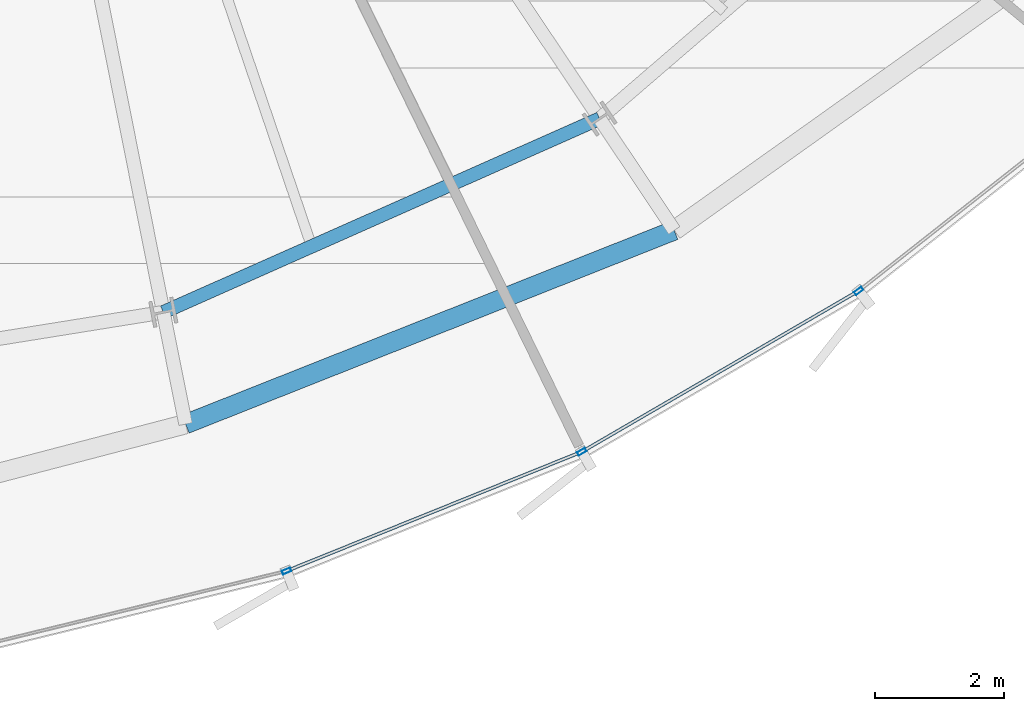
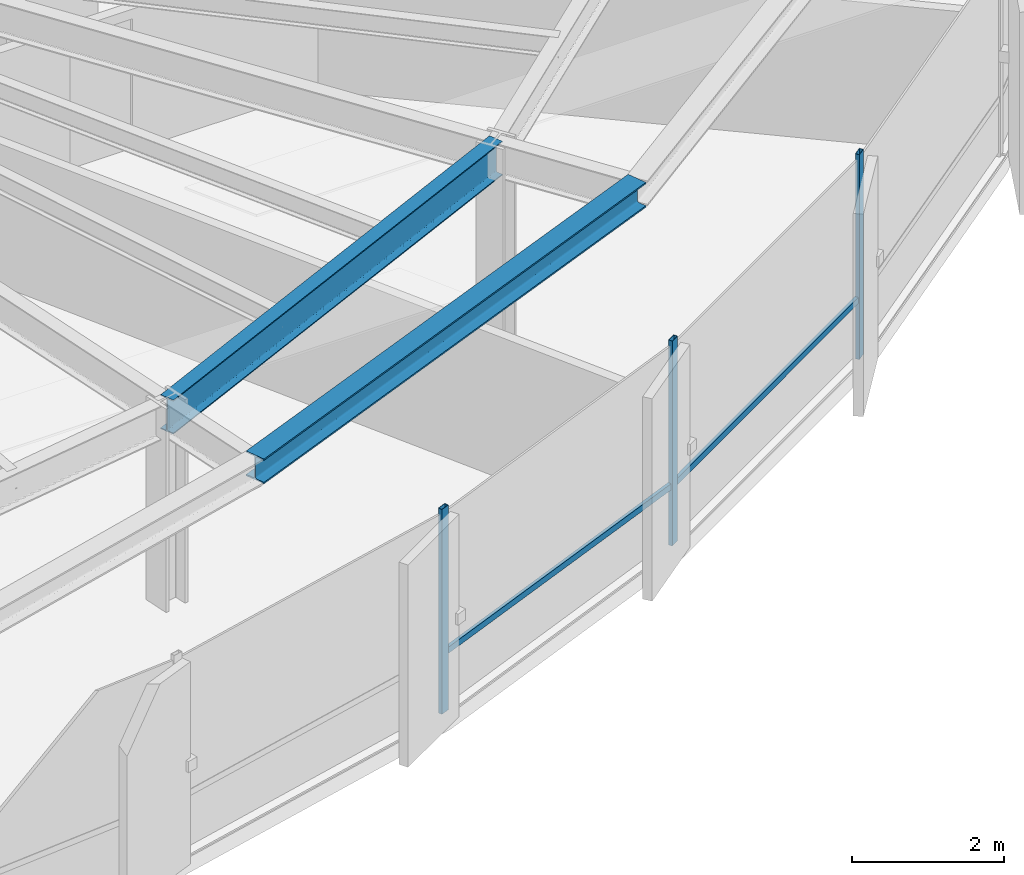
# One storey, part 12 of 35: 5 members, 2 beams, 1 element without a shape of its own.
"""IFC4 building model written with IfcOpenShell, lengths in metres."""

import ifcopenshell
import ifcopenshell.guid

model = None  # the IFC model being written
_history = None  # IfcOwnerHistory: only IFC2X3 demands one
_inside = {}  # id of a spatial element -> (the spatial element, [elements in it])
_under = {}  # id of a project, library or spatial element -> (it, [spatial elements below it])
_declared = {}  # id of a project -> (the project, [libraries it declares])
_typed = {}  # id of a type object -> (the type object, [elements of that type])
_made_of = {}  # id of a material, layer set ... -> (it, [elements and type objects made of it])


def new_model(schema):
    """Start an empty IFC model of exactly this schema.

    Asked for "IFC4X3", IfcOpenShell would pick the latest addendum, in which some entities
    have other attributes; the version numbers below select the first issue.
    IFC2X3 requires an IfcOwnerHistory on every rooted entity: one is made here for all.
    """
    global model, _history
    if schema == "IFC4X3":
        model = ifcopenshell.file(schema_version=(4, 3, 0, 0))
    else:
        model = ifcopenshell.file(schema=schema)
    _inside.clear()
    _under.clear()
    _declared.clear()
    _typed.clear()
    _made_of.clear()
    _history = None
    if model.schema == "IFC2X3":
        org = make("IfcOrganization", Name="unknown")
        user = make(
            "IfcPersonAndOrganization",
            ThePerson=make("IfcPerson", FamilyName="unknown"),
            TheOrganization=org,
        )
        app = make(
            "IfcApplication",
            ApplicationDeveloper=org,
            Version="unknown",
            ApplicationFullName="unknown",
            ApplicationIdentifier="unknown",
        )
        _history = make(
            "IfcOwnerHistory",
            OwningUser=user,
            OwningApplication=app,
            ChangeAction="ADDED",
            CreationDate=0,
        )
    return model


def make(cls, **values):
    """One entity of the class cls with the attributes given. An attribute that is None is left unset."""
    return model.create_entity(
        cls, **{name: value for name, value in values.items() if value is not None}
    )


def rooted(cls, **values):
    """An entity with a GlobalId (a new one), such as an element, a storey or a relation."""
    return make(cls, GlobalId=ifcopenshell.guid.new(), OwnerHistory=_history, **values)


def si_unit(unit_type, name, prefix=None):
    """IfcSIUnit, for example si_unit("LENGTHUNIT", "METRE", prefix="MILLI")."""
    return make("IfcSIUnit", UnitType=unit_type, Prefix=prefix, Name=name)


def assignment(units):
    """IfcUnitAssignment: the units of a project."""
    return None if units is None else make("IfcUnitAssignment", Units=units)


def point(xyz):
    """IfcCartesianPoint."""
    return None if xyz is None else make("IfcCartesianPoint", Coordinates=xyz)


def direction(xyz):
    """IfcDirection."""
    return None if xyz is None else make("IfcDirection", DirectionRatios=xyz)


def frame(location, z_axis=None, x_axis=None):
    """IfcAxis2Placement3D, a coordinate frame: its origin and axes. An axis left out is left unset."""
    return make(
        "IfcAxis2Placement3D",
        Location=point(location),
        Axis=direction(z_axis),
        RefDirection=direction(x_axis),
    )


def frame_2d(location, x_axis=None):
    """IfcAxis2Placement2D, a coordinate frame in the plane: its origin and x axis."""
    return make(
        "IfcAxis2Placement2D", Location=point(location), RefDirection=direction(x_axis)
    )


def origin():
    """The frame at (0, 0, 0) with its axes left unset."""
    return frame((0.0, 0.0, 0.0))


def origin_2d():
    """The frame at (0, 0) in the plane with its x axis left unset."""
    return frame_2d((0.0, 0.0))


def place(relative_to, where):
    """IfcLocalPlacement: puts the frame where relative to a parent placement (None: the world)."""
    return make(
        "IfcLocalPlacement", PlacementRelTo=relative_to, RelativePlacement=where
    )


def context(
    kind, dimensions, precision=None, world=None, true_north=None, identifier=None
):
    """IfcGeometricRepresentationContext, for example the 3D "Model" context."""
    return make(
        "IfcGeometricRepresentationContext",
        ContextIdentifier=identifier,
        ContextType=kind,
        CoordinateSpaceDimension=dimensions,
        Precision=precision,
        WorldCoordinateSystem=world,
        TrueNorth=true_north,
    )


def subcontext(parent, identifier, kind, view, scale=None):
    """IfcGeometricRepresentationSubContext, for example "Body" below "Model"."""
    return make(
        "IfcGeometricRepresentationSubContext",
        ContextIdentifier=identifier,
        ContextType=kind,
        ParentContext=parent,
        TargetScale=scale,
        TargetView=view,
    )


def project(units=None, contexts=None):
    """IfcProject with its units and contexts."""
    return rooted(
        "IfcProject",
        Name="project",
        RepresentationContexts=contexts,
        UnitsInContext=assignment(units),
    )


def spatial(cls, under=None, at=None, **own):
    """A site, building, storey or space (cls), placed at a placement, below another one or the project."""
    s = rooted(cls, ObjectPlacement=at, **own)
    if under is not None:
        _under.setdefault(under.id(), (under, []))[1].append(s)
    return s


def profile(cls, at=None, kind="AREA", **sizes):
    """A parametric profile (cls). Its sizes go by their IFC names, for example OverallWidth=200.0."""
    return make(cls, ProfileType=kind, Position=at, **sizes)


def hollow_rectangle(**sizes):
    """IfcRectangleHollowProfileDef."""
    return profile("IfcRectangleHollowProfileDef", **sizes)


def i_section(**sizes):
    """IfcIShapeProfileDef."""
    return profile("IfcIShapeProfileDef", **sizes)


def extrude(swept, where, along, depth):
    """IfcExtrudedAreaSolid: the profile swept, set in the frame where, extruded along a direction by depth."""
    return make(
        "IfcExtrudedAreaSolid",
        SweptArea=swept,
        Position=where,
        ExtrudedDirection=direction(along),
        Depth=depth,
    )


def shape(context_of_items, identifier, shape_type, items):
    """IfcShapeRepresentation: the items that make up one representation, for example the "Body"."""
    return make(
        "IfcShapeRepresentation",
        ContextOfItems=context_of_items,
        RepresentationIdentifier=identifier,
        RepresentationType=shape_type,
        Items=items,
    )


def source(mapping_origin, context_of_items, identifier, shape_type, items):
    """IfcRepresentationMap: a shape defined once, which mapped items show again and again."""
    return make(
        "IfcRepresentationMap",
        MappingOrigin=mapping_origin,
        MappedRepresentation=shape(context_of_items, identifier, shape_type, items),
    )


def transform(
    local_origin,
    x_axis=None,
    y_axis=None,
    z_axis=None,
    scale=None,
    scale2=None,
    scale3=None,
    uniform=True,
):
    """IfcCartesianTransformationOperator3D, or its non-uniform kind. x_axis, y_axis, z_axis: its Axis1, 2, 3."""
    if uniform:
        return make(
            "IfcCartesianTransformationOperator3D",
            Axis1=direction(x_axis),
            Axis2=direction(y_axis),
            LocalOrigin=point(local_origin),
            Scale=scale,
            Axis3=direction(z_axis),
        )
    return make(
        "IfcCartesianTransformationOperator3DnonUniform",
        Axis1=direction(x_axis),
        Axis2=direction(y_axis),
        LocalOrigin=point(local_origin),
        Scale=scale,
        Axis3=direction(z_axis),
        Scale2=scale2,
        Scale3=scale3,
    )


def mapped(mapping_source, mapping_target):
    """IfcMappedItem: shows the shape of a source again, moved by a transform."""
    return make(
        "IfcMappedItem", MappingSource=mapping_source, MappingTarget=mapping_target
    )


def material(Name=None, Category=None):
    """IfcMaterial."""
    return make("IfcMaterial", Name=Name, Category=Category)


def layer(
    of_material, thickness, ventilated=None, Name=None, Category=None, Priority=None
):
    """IfcMaterialLayer: one layer of a wall or slab, of a material (None: an air gap)."""
    return make(
        "IfcMaterialLayer",
        Material=of_material,
        LayerThickness=thickness,
        IsVentilated=ventilated,
        Name=Name,
        Category=Category,
        Priority=Priority,
    )


def layer_set(layers, Name=None):
    """IfcMaterialLayerSet."""
    return make("IfcMaterialLayerSet", MaterialLayers=layers, LayerSetName=Name)


def material_profile(
    of_material, cross_section, Name=None, Category=None, Priority=None
):
    """IfcMaterialProfile: a cross section and its material."""
    return make(
        "IfcMaterialProfile",
        Name=Name,
        Material=of_material,
        Profile=cross_section,
        Priority=Priority,
        Category=Category,
    )


def profile_set(profiles, Name=None, composite=None):
    """IfcMaterialProfileSet."""
    return make(
        "IfcMaterialProfileSet",
        Name=Name,
        MaterialProfiles=profiles,
        CompositeProfile=composite,
    )


def made_of(thing, what):
    """Note that an element or type object is made of a material, layer set ...; save() writes the relation."""
    if what is not None:
        _made_of.setdefault(what.id(), (what, []))[1].append(thing)
    return thing


def type_object(cls, material=None, **own):
    """A type object (cls), such as IfcWallType, which elements share."""
    return made_of(rooted(cls, **own), material)


def element(
    cls,
    number,
    at=None,
    inside=None,
    cuts=None,
    type_object=None,
    material=None,
    context=None,
    identifier="Body",
    shape_type=None,
    held_by="IfcProductDefinitionShape",
    body=None,
    shapes=None,
    **own,
):
    """One element of the class cls, such as IfcWall. Its Tag is "e" and its number.

    at: its placement. inside: the storey or other place that contains it. cuts: it is an
    opening in that element (IfcRelVoidsElement). A single representation is given by context,
    identifier, shape_type and body (its items); several are given by shapes. held_by: the class
    of the entity that holds the representations. save() writes the other relations.
    """
    e = rooted(cls, Tag="e%d" % number, ObjectPlacement=at, **own)
    if body is not None:
        shapes = [shape(context, identifier, shape_type, body)]
    if shapes is not None:
        e.Representation = make(held_by, Representations=shapes)
    if inside is not None:
        _inside.setdefault(inside.id(), (inside, []))[1].append(e)
    if cuts is not None:
        rooted(
            "IfcRelVoidsElement", RelatingBuildingElement=cuts, RelatedOpeningElement=e
        )
    if type_object is not None:
        _typed.setdefault(type_object.id(), (type_object, []))[1].append(e)
    return made_of(e, material)


def aggregate(whole, parts):
    """IfcRelAggregates: a whole, such as a stair, and the parts it consists of."""
    return rooted("IfcRelAggregates", RelatingObject=whole, RelatedObjects=parts)


def save(model, path):
    """Write the relations noted so far, then the file.

    IfcRelAggregates (storeys below a building ...), IfcRelContainedInSpatialStructure (elements
    in a storey), IfcRelDefinesByType, IfcRelAssociatesMaterial and IfcRelDeclares: one each for
    every whole, place, type object, material and project.
    """
    for whole, parts in _under.values():
        aggregate(whole, parts)
    for where, things in _inside.values():
        rooted(
            "IfcRelContainedInSpatialStructure",
            RelatedElements=things,
            RelatingStructure=where,
        )
    for kind, things in _typed.values():
        rooted("IfcRelDefinesByType", RelatedObjects=things, RelatingType=kind)
    for what, things in _made_of.values():
        rooted("IfcRelAssociatesMaterial", RelatedObjects=things, RelatingMaterial=what)
    for by, libraries in _declared.values():
        rooted("IfcRelDeclares", RelatingContext=by, RelatedDefinitions=libraries)
    model.write(path)


model = new_model("IFC4")

# Units and contexts
model_context = context("Model", 3, precision=1e-05, world=origin(), true_north=direction((0.0, 1.0)))
body_context = subcontext(model_context, "Body", "Model", "MODEL_VIEW")
ifc_project = project(units=[si_unit("LENGTHUNIT", "METRE"), si_unit("AREAUNIT", "SQUARE_METRE"), si_unit("VOLUMEUNIT", "CUBIC_METRE"), si_unit("PLANEANGLEUNIT", "RADIAN"), si_unit("MASSUNIT", "GRAM", prefix="KILO"), si_unit("THERMODYNAMICTEMPERATUREUNIT", "KELVIN")], contexts=[model_context])

# Site, building, storey
site_placement = place(None, origin())
site = spatial("IfcSite", under=ifc_project, at=site_placement, CompositionType="ELEMENT")
building_placement = place(site_placement, origin())
building = spatial("IfcBuilding", under=site, at=building_placement, Name="Kethvar Cultural Tower", CompositionType="ELEMENT")
storey_placement = place(building_placement, frame((0.0, 0.0, 139.449951171875)))
storey = spatial("IfcBuildingStorey", under=building, at=storey_placement, Name="L35", CompositionType="ELEMENT", Elevation=139.449951171875)

# Beams
ifc_material_1 = material(Name="Steel S355J2", Category="steel")
ifc_material_profile_1 = material_profile(ifc_material_1, i_section(OverallWidth=0.2099609375, OverallDepth=0.550048828125, WebThickness=0.010986328125, FlangeThickness=0.01708984375, FilletRadius=0.02392578125, at=origin_2d()), Name="Steel S355J2 — IPE550")
ifc_profile_set_1 = profile_set([ifc_material_profile_1], Name="Steel S355J2 — IPE550")
beam_type_1 = type_object("IfcBeamType", Name="BM-IPE550", PredefinedType="BEAM", material=ifc_profile_set_1)
shared_shape_1 = source(origin(), body_context, "Body", "SweptSolid", [
    extrude(i_section(OverallWidth=0.2099609375, OverallDepth=0.550048828125, WebThickness=0.010986328125, FlangeThickness=0.01708984375, FilletRadius=0.02392578125, at=origin_2d()), origin(), (0.0, 0.0, 1.0), 7.3720703125),
])
beam_1_placement = place(storey_placement, frame((50.50341796875, 9.182373046875, 3.02294921875), z_axis=(0.914058560918, 0.405582232367, 0.0), x_axis=(-0.405582232367, 0.914058560918, 0.0)))
element("IfcBeam", 1, at=beam_1_placement, inside=storey, type_object=beam_type_1, Name="L35 Column Ring Tie Beam CR-13", PredefinedType="BEAM", context=body_context, shape_type="MappedRepresentation", body=[
    mapped(shared_shape_1, transform((0.0, 0.0, 0.0), scale=1.0)),
])
ifc_material_profile_2 = material_profile(ifc_material_1, i_section(OverallWidth=0.300048828125, OverallDepth=0.39990234375, WebThickness=0.013427734375, FlangeThickness=0.02392578125, FilletRadius=0.027099609375, at=origin_2d()), Name="Steel S355J2 — HEB400")
ifc_profile_set_2 = profile_set([ifc_material_profile_2], Name="Steel S355J2 — HEB400")
beam_type_2 = type_object("IfcBeamType", Name="BM-SP400", PredefinedType="SPANDREL", material=ifc_profile_set_2)
shared_shape_2 = source(origin(), body_context, "Body", "SweptSolid", [
    extrude(i_section(OverallWidth=0.300048828125, OverallDepth=0.39990234375, WebThickness=0.013427734375, FlangeThickness=0.02392578125, FilletRadius=0.027099609375, at=origin_2d()), origin(), (0.0, 0.0, 1.0), 8.11962890625),
])
beam_2_placement = place(storey_placement, frame((50.84716796875, 7.4541015625, 3.09814453125), z_axis=(0.92962106459, 0.368516860226, 0.0), x_axis=(-0.368516860226, 0.92962106459, 0.0)))
element("IfcBeam", 2, at=beam_2_placement, inside=storey, type_object=beam_type_2, Name="L35 Perimeter Spandrel Beam SP-13", PredefinedType="SPANDREL", context=body_context, shape_type="MappedRepresentation", body=[
    mapped(shared_shape_2, transform((0.0, 0.0, 0.0), scale=1.0)),
])

# Curtain wall, members
ifc_material_2 = material(Name="Aluminium 6063-T6", Category="aluminium")
ifc_layer = layer(ifc_material_2, 0.179931640625, Name="Aluminium 6063-T6", Category="aluminium")
ifc_layer_set = layer_set([ifc_layer], Name="Aluminium 6063-T6 (180 mm)")
curtain_wall_type = type_object("IfcCurtainWallType", Name="CW-SYS-04-Z34", PredefinedType="NOTDEFINED", material=ifc_layer_set)
curtain_wall_placement = place(storey_placement, origin())
curtain_wall = element("IfcCurtainWall", 3, at=curtain_wall_placement, inside=storey, type_object=curtain_wall_type, Name="L35 Curtain Wall Run 05", PredefinedType="NOTDEFINED")
ifc_material_profile_3 = material_profile(ifc_material_2, hollow_rectangle(XDim=0.06005859375, YDim=0.139892578125, WallThickness=0.0048828125, at=origin_2d()), Name="Aluminium 6063-T6 — RHS140x60x5")
ifc_profile_set_3 = profile_set([ifc_material_profile_3], Name="Aluminium 6063-T6 — RHS140x60x5")
member_type_1 = type_object("IfcMemberType", Name="CW-SYS-04-Z34-MUL", PredefinedType="MULLION", material=ifc_profile_set_3)
shared_shape_3 = source(origin(), body_context, "Body", "SweptSolid", [
    extrude(hollow_rectangle(XDim=0.06005859375, YDim=0.139892578125, WallThickness=0.0048828125, at=origin_2d()), origin(), (0.0, 0.0, 1.0), 3.300048828125),
])
member_1_placement = place(storey_placement, frame((52.406494140625, 5.18505859375, 0.0), z_axis=(0.0, 0.0, 1.0), x_axis=(-0.374574228366, 0.927196930239, 0.0)))
member_1 = element("IfcMember", 4, at=member_1_placement, type_object=member_type_1, Name="CW-L35-R05 Mullion 3", PredefinedType="MULLION", context=body_context, shape_type="MappedRepresentation", body=[
    mapped(shared_shape_3, transform((0.0, 0.0, 0.0), scale=1.0)),
])
member_2_placement = place(storey_placement, frame((56.968017578125, 7.026611328125, 0.0), z_axis=(0.0, 0.0, 1.0), x_axis=(-0.502748401875, 0.864432787678, 0.0)))
member_2 = element("IfcMember", 5, at=member_2_placement, type_object=member_type_1, Name="CW-L35-R05 Mullion 4", PredefinedType="MULLION", context=body_context, shape_type="MappedRepresentation", body=[
    mapped(shared_shape_3, transform((0.0, 0.0, 0.0), scale=1.0)),
])
member_3_placement = place(storey_placement, frame((61.242919921875, 9.51171875, 0.0), z_axis=(0.0, 0.0, 1.0), x_axis=(-0.618586684711, 0.785716560534, 0.0)))
member_3 = element("IfcMember", 6, at=member_3_placement, type_object=member_type_1, Name="CW-L35-R05 Mullion 5", PredefinedType="MULLION", context=body_context, shape_type="MappedRepresentation", body=[
    mapped(shared_shape_3, transform((0.0, 0.0, 0.0), scale=1.0)),
])
ifc_material_profile_4 = material_profile(ifc_material_2, hollow_rectangle(XDim=0.050048828125, YDim=0.10009765625, WallThickness=0.00390625, at=origin_2d()), Name="Aluminium 6063-T6 — RHS100x50x4")
ifc_profile_set_4 = profile_set([ifc_material_profile_4], Name="Aluminium 6063-T6 — RHS100x50x4")
member_type_2 = type_object("IfcMemberType", Name="CW-SYS-04-Z34-TRN", PredefinedType="USERDEFINED", material=ifc_profile_set_4)
shared_shape_4 = source(origin(), body_context, "Body", "SweptSolid", [
    extrude(hollow_rectangle(XDim=0.050048828125, YDim=0.10009765625, WallThickness=0.00390625, at=origin_2d()), origin(), (0.0, 0.0, 1.0), 4.848388671875),
])
member_4_placement = place(storey_placement, frame((52.446533203125, 5.201416015625, 0.949951171875), z_axis=(0.927207200302, 0.374548805509, 0.0), x_axis=(-0.374548805509, 0.927207200302, 0.0)))
member_4 = element("IfcMember", 7, at=member_4_placement, type_object=member_type_2, Name="CW-L35-R05 Transom 3", ObjectType="TRANSOM", PredefinedType="USERDEFINED", context=body_context, shape_type="MappedRepresentation", body=[
    mapped(shared_shape_4, transform((0.0, 0.0, 0.0), scale=1.0)),
])
shared_shape_5 = source(origin(), body_context, "Body", "SweptSolid", [
    extrude(hollow_rectangle(XDim=0.050048828125, YDim=0.10009765625, WallThickness=0.00390625, at=origin_2d()), origin(), (0.0, 0.0, 1.0), 4.8740234375),
])
member_5_placement = place(storey_placement, frame((57.00537109375, 7.04833984375, 0.949951171875), z_axis=(0.864423149416, 0.502764973674, 0.0), x_axis=(-0.502764973674, 0.864423149416, 0.0)))
member_5 = element("IfcMember", 8, at=member_5_placement, type_object=member_type_2, Name="CW-L35-R05 Transom 4", ObjectType="TRANSOM", PredefinedType="USERDEFINED", context=body_context, shape_type="MappedRepresentation", body=[
    mapped(shared_shape_5, transform((0.0, 0.0, 0.0), scale=1.0)),
])
aggregate(curtain_wall, [member_1, member_2, member_3, member_4, member_5])

save(model, "model.ifc")
